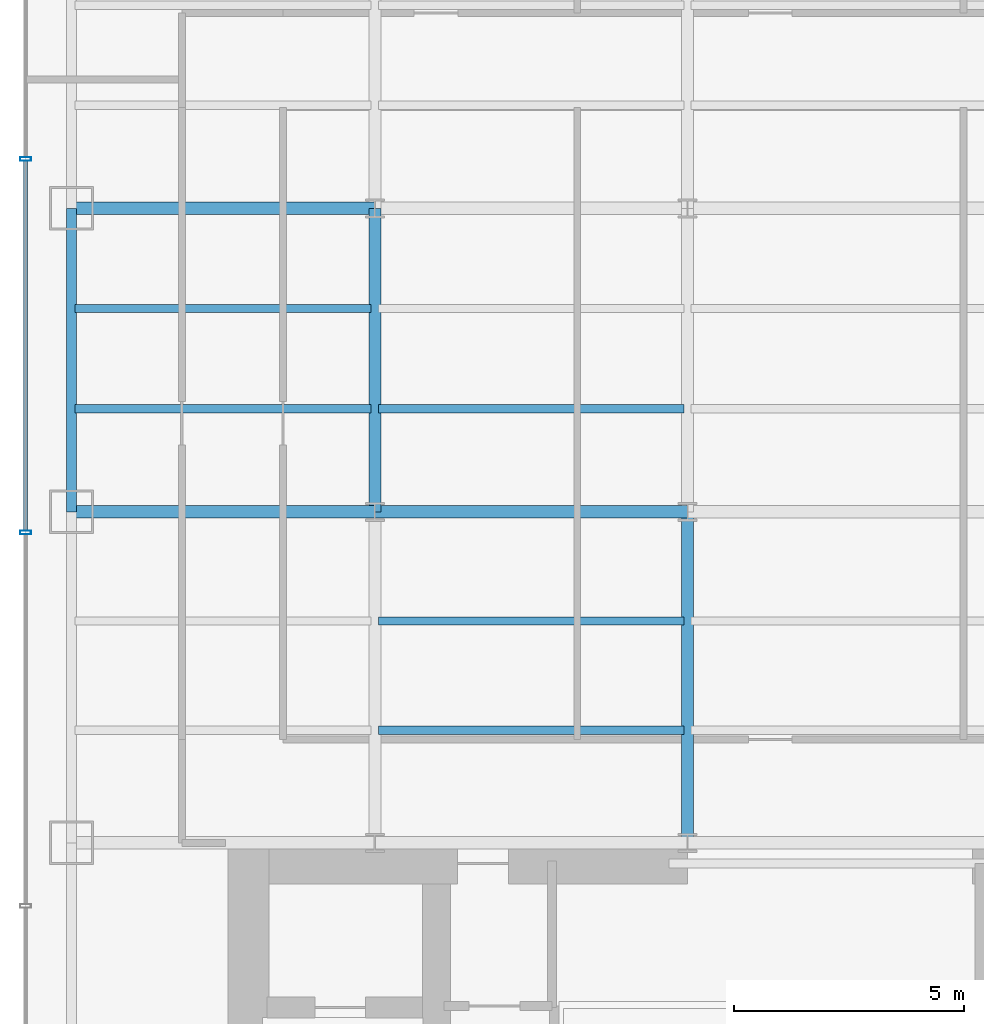
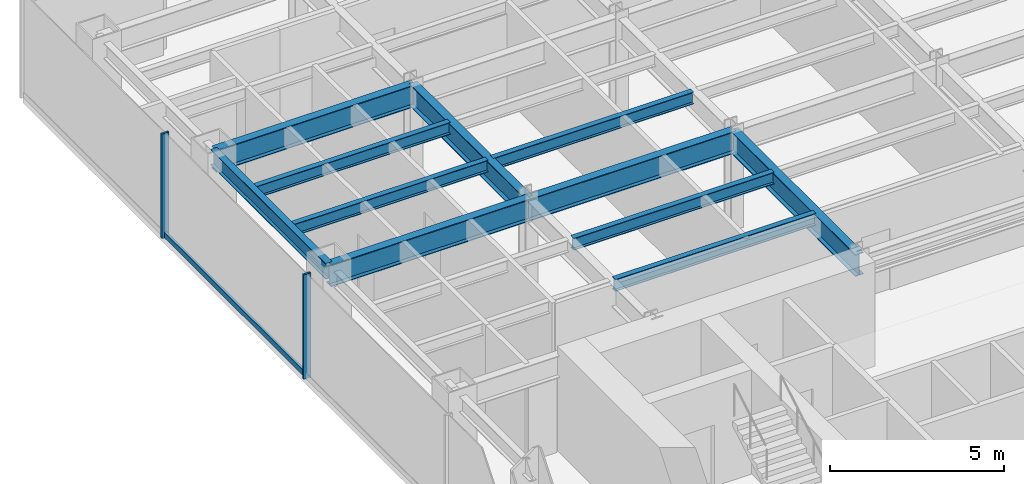
# One storey, part 4 of 22: 11 beams, 3 members, 1 element without a shape of its own.
"""IFC4 building model written with IfcOpenShell, lengths in metres."""

from ifc_helpers import new_model, si_unit, derived_unit, direction, frame, origin, origin_2d, place, context, subcontext, project, spatial, hollow_rectangle, i_section, extrude, source, transform, mapped, material, material_profile, profile_set, type_object, element, aggregate, save


model = new_model("IFC4")

# Units and contexts
model_context = context("Model", 3, precision=1e-05, world=origin(), true_north=direction((0.0, 1.0)))
body_context = subcontext(model_context, "Body", "Model", "MODEL_VIEW")
ifc_project = project(units=[si_unit("LENGTHUNIT", "METRE"), si_unit("AREAUNIT", "SQUARE_METRE"), si_unit("VOLUMEUNIT", "CUBIC_METRE"), si_unit("PLANEANGLEUNIT", "RADIAN"), si_unit("MASSUNIT", "GRAM", prefix="KILO"), derived_unit("THERMALTRANSMITTANCEUNIT", [(si_unit("POWERUNIT", "WATT"), 1), (si_unit("LENGTHUNIT", "METRE"), -2), (si_unit("THERMODYNAMICTEMPERATUREUNIT", "KELVIN"), -1)])], contexts=[model_context])

# Site, building, storey
site_placement = place(None, origin())
site = spatial("IfcSite", under=ifc_project, at=site_placement, CompositionType="ELEMENT")
building_placement = place(site_placement, origin())
building = spatial("IfcBuilding", under=site, at=building_placement, Name="Skarnbrae Concourse Arena and Tower", CompositionType="ELEMENT")
storey_placement = place(building_placement, frame((0.0, 0.0, 65.35009765625)))
storey = spatial("IfcBuildingStorey", under=building, at=storey_placement, Name="L15", CompositionType="ELEMENT", Elevation=65.35009765625)

# Beams
ifc_material_1 = material(Name="Steel CSA G40.21 350W", Category="steel")
ifc_material_profile_1 = material_profile(ifc_material_1, i_section(OverallWidth=0.26806640625, OverallDepth=0.77001953125, WebThickness=0.015625, FlangeThickness=0.025390625, at=origin_2d()), Name="W760X196")
ifc_profile_set_1 = profile_set([ifc_material_profile_1], Name="Steel CSA G40.21 350W")
beam_type_1 = type_object("IfcBeamType", Name="BM-GIRD-W760X196", PredefinedType="BEAM", material=ifc_profile_set_1)
shared_shape_1 = source(origin(), body_context, "Body", "SweptSolid", [
    extrude(i_section(OverallWidth=0.26806640625, OverallDepth=0.77001953125, WebThickness=0.015625, FlangeThickness=0.025390625, at=origin_2d()), origin(), (0.0, 0.0, 1.0), 6.60009765625),
])
for number, where, z_axis, x_axis, name in (
    (1, (1.0, 21.199951171875, 3.014892578125), (1.0, 0.0, 0.0), (0.0, 1.0, 0.0), "L15 Primary E-W girder Y21.2-1"),
    (2, (1.0, 27.800048828125, 3.014892578125), (1.0, 0.0, 0.0), (0.0, 1.0, 0.0), "L15 Primary E-W girder Y27.8-1"),
    (3, (7.60009765625, 21.199951171875, 3.014892578125), (0.0, 1.0, 0.0), (-1.0, 0.0, 0.0), "L15 Primary N-S girder X7.6-2"),
):
    element("IfcBeam", number, at=place(storey_placement, frame(where, z_axis=z_axis, x_axis=x_axis)), inside=storey, type_object=beam_type_1, Name=name, PredefinedType="BEAM", context=body_context, shape_type="MappedRepresentation", body=[
        mapped(shared_shape_1, transform((0.0, 0.0, 0.0))),
    ])
shared_shape_2 = source(origin(), body_context, "Body", "SweptSolid", [
    extrude(i_section(OverallWidth=0.26806640625, OverallDepth=0.77001953125, WebThickness=0.015625, FlangeThickness=0.025390625, at=origin_2d()), origin(), (0.0, 0.0, 1.0), 6.7998046875),
])
beam_1_placement = place(storey_placement, frame((7.60009765625, 21.199951171875, 3.014892578125), z_axis=(1.0, 0.0, 0.0), x_axis=(0.0, 1.0, 0.0)))
element("IfcBeam", 4, at=beam_1_placement, inside=storey, type_object=beam_type_1, Name="L15 Primary E-W girder Y21.2-2", PredefinedType="BEAM", context=body_context, shape_type="MappedRepresentation", body=[
    mapped(shared_shape_2, transform((0.0, 0.0, 0.0))),
])
ifc_material_profile_2 = material_profile(ifc_material_1, i_section(OverallWidth=0.214111328125, OverallDepth=0.549072265625, WebThickness=0.0146484375, FlangeThickness=0.023681640625, at=origin_2d()), Name="W530X138")
ifc_profile_set_2 = profile_set([ifc_material_profile_2], Name="Steel CSA G40.21 350W")
beam_type_2 = type_object("IfcBeamType", Name="BM-SPAN-W530X138", PredefinedType="SPANDREL", material=ifc_profile_set_2)
shared_shape_3 = source(origin(), body_context, "Body", "SweptSolid", [
    extrude(i_section(OverallWidth=0.214111328125, OverallDepth=0.549072265625, WebThickness=0.0146484375, FlangeThickness=0.023681640625, at=origin_2d()), origin(), (0.0, 0.0, 1.0), 6.60009765625),
])
beam_2_placement = place(storey_placement, frame((1.0, 21.199951171875, 3.12548828125), z_axis=(0.0, 1.0, 0.0), x_axis=(-1.0, 0.0, 0.0)))
element("IfcBeam", 5, at=beam_2_placement, inside=storey, type_object=beam_type_2, Name="L15 Perimeter spandrel X1.0-3", PredefinedType="SPANDREL", context=body_context, shape_type="MappedRepresentation", body=[
    mapped(shared_shape_3, transform((0.0, 0.0, 0.0))),
])
shared_shape_4 = source(origin(), body_context, "Body", "SweptSolid", [
    extrude(i_section(OverallWidth=0.26806640625, OverallDepth=0.77001953125, WebThickness=0.015625, FlangeThickness=0.025390625, at=origin_2d()), origin(), (0.0, 0.0, 1.0), 7.199951171875),
])
beam_3_placement = place(storey_placement, frame((14.39990234375, 14.0, 3.014892578125), z_axis=(0.0, 1.0, 0.0), x_axis=(-1.0, 0.0, 0.0)))
element("IfcBeam", 6, at=beam_3_placement, inside=storey, type_object=beam_type_1, Name="L15 Primary N-S girder X14.4-1", PredefinedType="BEAM", context=body_context, shape_type="MappedRepresentation", body=[
    mapped(shared_shape_4, transform((0.0, 0.0, 0.0))),
])
ifc_material_profile_3 = material_profile(ifc_material_1, i_section(OverallWidth=0.180908203125, OverallDepth=0.4169921875, WebThickness=0.010986328125, FlangeThickness=0.018310546875, at=origin_2d()), Name="W410X85")
ifc_profile_set_3 = profile_set([ifc_material_profile_3], Name="Steel CSA G40.21 350W")
beam_type_3 = type_object("IfcBeamType", Name="BM-JOIST-W410X85", PredefinedType="JOIST", material=ifc_profile_set_3)
shared_shape_5 = source(origin(), body_context, "Body", "SweptSolid", [
    extrude(i_section(OverallWidth=0.180908203125, OverallDepth=0.4169921875, WebThickness=0.010986328125, FlangeThickness=0.018310546875, at=origin_2d()), origin(), (0.0, 0.0, 1.0), 6.43994140625),
])
for number, where, z_axis, x_axis, name in (
    (7, (1.080078125, 23.444091796875, 3.19140625), (1.0, 0.0, 0.0), (0.0, 1.0, 0.0), "L15 Secondary floor joist 2.1.1"),
    (8, (1.080078125, 25.6220703125, 3.19140625), (1.0, 0.0, 0.0), (0.0, 1.0, 0.0), "L15 Secondary floor joist 2.2.1"),
):
    element("IfcBeam", number, at=place(storey_placement, frame(where, z_axis=z_axis, x_axis=x_axis)), inside=storey, type_object=beam_type_3, Name=name, PredefinedType="JOIST", context=body_context, shape_type="MappedRepresentation", body=[
        mapped(shared_shape_5, transform((0.0, 0.0, 0.0))),
    ])
shared_shape_6 = source(origin(), body_context, "Body", "SweptSolid", [
    extrude(i_section(OverallWidth=0.180908203125, OverallDepth=0.4169921875, WebThickness=0.010986328125, FlangeThickness=0.018310546875, at=origin_2d()), origin(), (0.0, 0.0, 1.0), 6.64013671875),
])
for number, where, z_axis, x_axis, name in (
    (9, (7.679931640625, 16.447998046875, 3.19140625), (1.0, 0.0, 0.0), (0.0, 1.0, 0.0), "L15 Secondary floor joist 1.1.2"),
    (10, (7.679931640625, 18.823974609375, 3.19140625), (1.0, 0.0, 0.0), (0.0, 1.0, 0.0), "L15 Secondary floor joist 1.2.2"),
    (11, (7.679931640625, 23.444091796875, 3.19140625), (1.0, 0.0, 0.0), (0.0, 1.0, 0.0), "L15 Secondary floor joist 2.1.2"),
):
    element("IfcBeam", number, at=place(storey_placement, frame(where, z_axis=z_axis, x_axis=x_axis)), inside=storey, type_object=beam_type_3, Name=name, PredefinedType="JOIST", context=body_context, shape_type="MappedRepresentation", body=[
        mapped(shared_shape_6, transform((0.0, 0.0, 0.0))),
    ])

# Curtain wall, members
ifc_material_2 = material(Name="Bronze anodised aluminium 6063-T6", Category="aluminium")
curtain_wall_type = type_object("IfcCurtainWallType", Name="CW-SYS-02-LOWZONE", PredefinedType="USERDEFINED", material=ifc_material_2)
curtain_wall_placement = place(storey_placement, origin())
curtain_wall = element("IfcCurtainWall", 12, at=curtain_wall_placement, inside=storey, type_object=curtain_wall_type, Name="L15 Unitised curtain wall CW-L15-E19", ObjectType="UNITISED CURTAIN WALL", PredefinedType="USERDEFINED")
ifc_material_profile_4 = material_profile(ifc_material_2, hollow_rectangle(XDim=0.080078125, YDim=0.239990234375, WallThickness=0.0048828125, at=origin_2d()), Name="ALU-MULL-80X240")
ifc_profile_set_4 = profile_set([ifc_material_profile_4], Name="Bronze anodised aluminium 6063-T6")
member_type_1 = type_object("IfcMemberType", Name="CWM-CW-02", PredefinedType="MULLION", material=ifc_profile_set_4)
shared_shape_7 = source(origin(), body_context, "Body", "SweptSolid", [
    extrude(hollow_rectangle(XDim=0.080078125, YDim=0.239990234375, WallThickness=0.0048828125, at=origin_2d()), origin(), (0.0, 0.0, 1.0), 3.64990234375),
])
member_1_placement = place(storey_placement, frame((0.0, 28.875, 0.0), z_axis=(0.0, 0.0, 1.0), x_axis=(0.0, -1.0, 0.0)))
member_1 = element("IfcMember", 13, at=member_1_placement, type_object=member_type_1, Name="CW-L15-E19 Mullion 2", PredefinedType="MULLION", context=body_context, shape_type="MappedRepresentation", body=[
    mapped(shared_shape_7, transform((0.0, 0.0, 0.0))),
])
member_2_placement = place(storey_placement, frame((0.0, 20.75, 0.0), z_axis=(0.0, 0.0, 1.0), x_axis=(0.0, -1.0, 0.0)))
member_2 = element("IfcMember", 14, at=member_2_placement, type_object=member_type_1, Name="CW-L15-E19 Mullion 3", PredefinedType="MULLION", context=body_context, shape_type="MappedRepresentation", body=[
    mapped(shared_shape_7, transform((0.0, 0.0, 0.0))),
])
ifc_material_profile_5 = material_profile(ifc_material_2, hollow_rectangle(XDim=0.080078125, YDim=0.18994140625, WallThickness=0.0048828125, at=origin_2d()), Name="ALU-TRAN-80X190")
ifc_profile_set_5 = profile_set([ifc_material_profile_5], Name="Bronze anodised aluminium 6063-T6")
member_type_2 = type_object("IfcMemberType", Name="CWT-CW-02", PredefinedType="USERDEFINED", material=ifc_profile_set_5)
shared_shape_8 = source(origin(), body_context, "Body", "SweptSolid", [
    extrude(hollow_rectangle(XDim=0.080078125, YDim=0.18994140625, WallThickness=0.0048828125, at=origin_2d()), origin(), (0.0, 0.0, 1.0), 8.044921875),
])
member_3_placement = place(storey_placement, frame((0.0, 28.8349609375, 0.094970703125), z_axis=(0.0, -1.0, 0.0), x_axis=(1.0, 0.0, 0.0)))
member_3 = element("IfcMember", 15, at=member_3_placement, type_object=member_type_2, Name="CW-L15-E19 Transom 2", ObjectType="TRANSOM", PredefinedType="USERDEFINED", context=body_context, shape_type="MappedRepresentation", body=[
    mapped(shared_shape_8, transform((0.0, 0.0, 0.0))),
])
aggregate(curtain_wall, [member_1, member_2, member_3])

save(model, "model.ifc")
